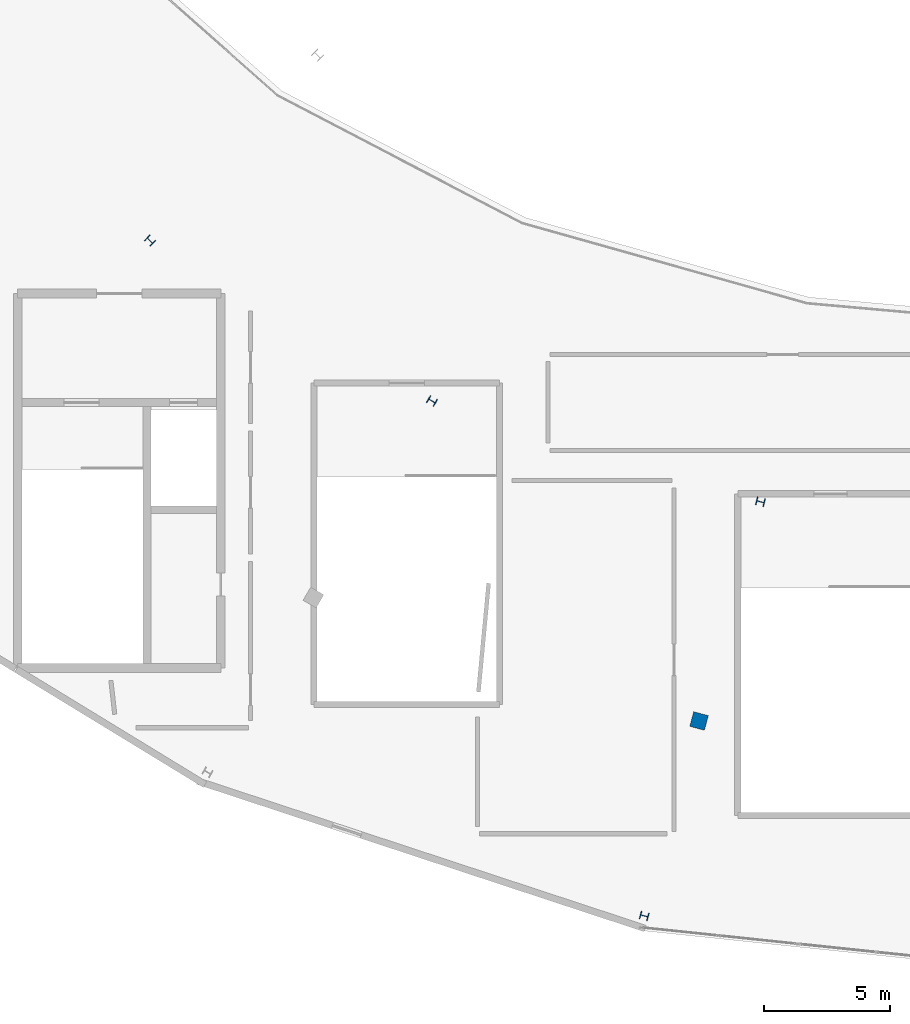
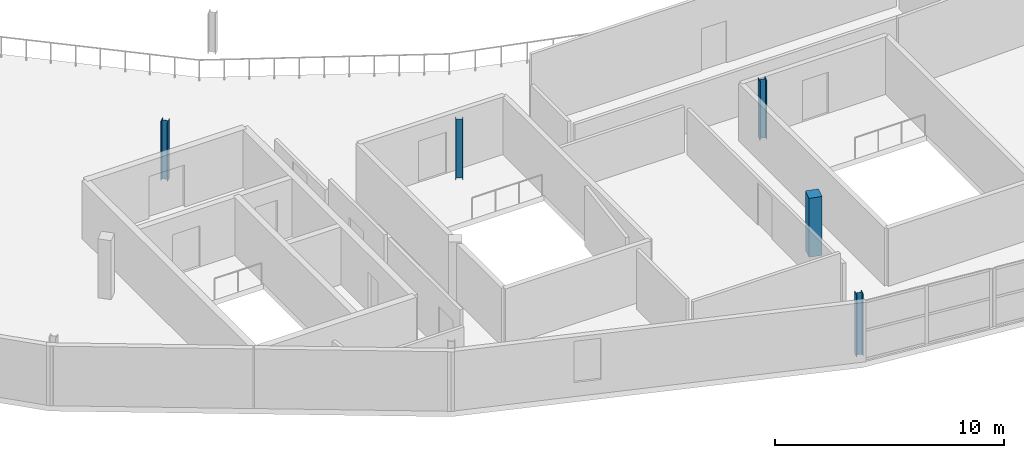
# One storey, part 2 of 35: 5 columns.
"""IFC4 building model written with IfcOpenShell, lengths in metres."""

from ifc_helpers import new_model, si_unit, direction, frame, origin, origin_2d, place, context, subcontext, project, spatial, rectangle, i_section, extrude, material, material_profile, profile_set, type_object, element, save


model = new_model("IFC4")

# Units and contexts
model_context = context("Model", 3, precision=1e-05, world=origin(), true_north=direction((0.0, 1.0)))
body_context = subcontext(model_context, "Body", "Model", "MODEL_VIEW")
ifc_project = project(units=[si_unit("LENGTHUNIT", "METRE"), si_unit("AREAUNIT", "SQUARE_METRE"), si_unit("VOLUMEUNIT", "CUBIC_METRE"), si_unit("PLANEANGLEUNIT", "RADIAN"), si_unit("MASSUNIT", "GRAM", prefix="KILO")], contexts=[model_context])

# Site, building, storey
site_placement = place(None, origin())
site = spatial("IfcSite", under=ifc_project, at=site_placement, CompositionType="ELEMENT")
building_placement = place(site_placement, origin())
building = spatial("IfcBuilding", under=site, at=building_placement, Name="Kalgoora Escarpment Arena", CompositionType="ELEMENT")
storey_placement = place(building_placement, frame((0.0, 0.0, 23.39990234375)))
storey = spatial("IfcBuildingStorey", under=building, at=storey_placement, Name="L05", CompositionType="ELEMENT", Elevation=23.39990234375)

# Columns
ifc_material_1 = material(Name="Structural steel AS/NZS 3679 (300 MPa)", Category="steel")
ifc_material_profile_1 = material_profile(ifc_material_1, i_section(OverallWidth=0.30908203125, OverallDepth=0.321044921875, WebThickness=0.013916015625, FlangeThickness=0.021728515625, at=origin_2d()))
ifc_profile_set_1 = profile_set([ifc_material_profile_1], Name="Structural steel AS/NZS 3679 (300 MPa)")
column_type_1 = type_object("IfcColumnType", Name="COL-COL-310UC137", PredefinedType="COLUMN", material=ifc_profile_set_1)
column_1_placement = place(storey_placement, frame((73.81689453125, 8.942138671875, 0.0), z_axis=(0.0, 0.0, 1.0), x_axis=(-0.258819045103, -0.965925826289, 0.0)))
element("IfcColumn", 1, at=column_1_placement, inside=storey, type_object=column_type_1, Name="L05 structural column COL-RCONC2-R18", PredefinedType="COLUMN", context=body_context, shape_type="SweptSolid", body=[
    extrude(i_section(OverallWidth=0.30908203125, OverallDepth=0.321044921875, WebThickness=0.013916015625, FlangeThickness=0.021728515625, at=origin_2d()), origin(), (0.0, 0.0, 1.0), 3.320068359375),
])
ifc_material_2 = material(Name="Structural steel AS/NZS 3679 (300 MPa)", Category="steel")
ifc_material_profile_2 = material_profile(ifc_material_2, i_section(OverallWidth=0.31103515625, OverallDepth=0.326904296875, WebThickness=0.015625, FlangeThickness=0.02490234375, at=origin_2d()))
ifc_profile_set_2 = profile_set([ifc_material_profile_2], Name="Structural steel AS/NZS 3679 (300 MPa)")
column_type_2 = type_object("IfcColumnType", Name="COL-COL-310UC158", PredefinedType="COLUMN", material=ifc_profile_set_2)
for number, where, z_axis, x_axis, name in (
    (2, (54.21630859375, 35.7158203125, 0.0), (0.0, 0.0, 1.0), (-0.707106781187, -0.707106781187, 0.0), "L05 structural column COL-RMAIN-R16"),
    (3, (65.39990234375, 29.35888671875, 0.0), (0.0, 0.0, 1.0), (-0.5, -0.866025403784, 0.0), "L05 structural column COL-RMAIN-R17"),
    (4, (78.423828125, 25.363037109375, 0.0), (0.0, 0.0, 1.0), (-0.258819045103, -0.965925826289, 0.0), "L05 structural column COL-RMAIN-R18"),
):
    element("IfcColumn", number, at=place(storey_placement, frame(where, z_axis=z_axis, x_axis=x_axis)), inside=storey, type_object=column_type_2, Name=name, PredefinedType="COLUMN", context=body_context, shape_type="SweptSolid", body=[
        extrude(i_section(OverallWidth=0.31103515625, OverallDepth=0.326904296875, WebThickness=0.015625, FlangeThickness=0.02490234375, at=origin_2d()), origin(), (0.0, 0.0, 1.0), 3.150146484375),
    ])
ifc_material_3 = material(Name="Concrete N50 (fc' 50 MPa)", Category="concrete")
ifc_material_profile_3 = material_profile(ifc_material_3, rectangle(XDim=0.60009765625, YDim=0.60009765625, at=origin_2d()))
ifc_profile_set_3 = profile_set([ifc_material_profile_3], Name="Concrete N50 (fc' 50 MPa)")
column_type_3 = type_object("IfcColumnType", Name="COL-COL-RC600x600", PredefinedType="COLUMN", material=ifc_profile_set_3)
column_2_placement = place(storey_placement, frame((75.990966796875, 16.669677734375, 0.0), z_axis=(0.0, 0.0, 1.0), x_axis=(-0.258819045103, -0.965925826289, 0.0)))
element("IfcColumn", 5, at=column_2_placement, inside=storey, type_object=column_type_3, Name="L05 structural column COL-RCONC1-R18", PredefinedType="COLUMN", context=body_context, shape_type="SweptSolid", body=[
    extrude(rectangle(XDim=0.60009765625, YDim=0.60009765625, at=origin_2d()), origin(), (0.0, 0.0, 1.0), 3.150146484375),
])

save(model, "model.ifc")
